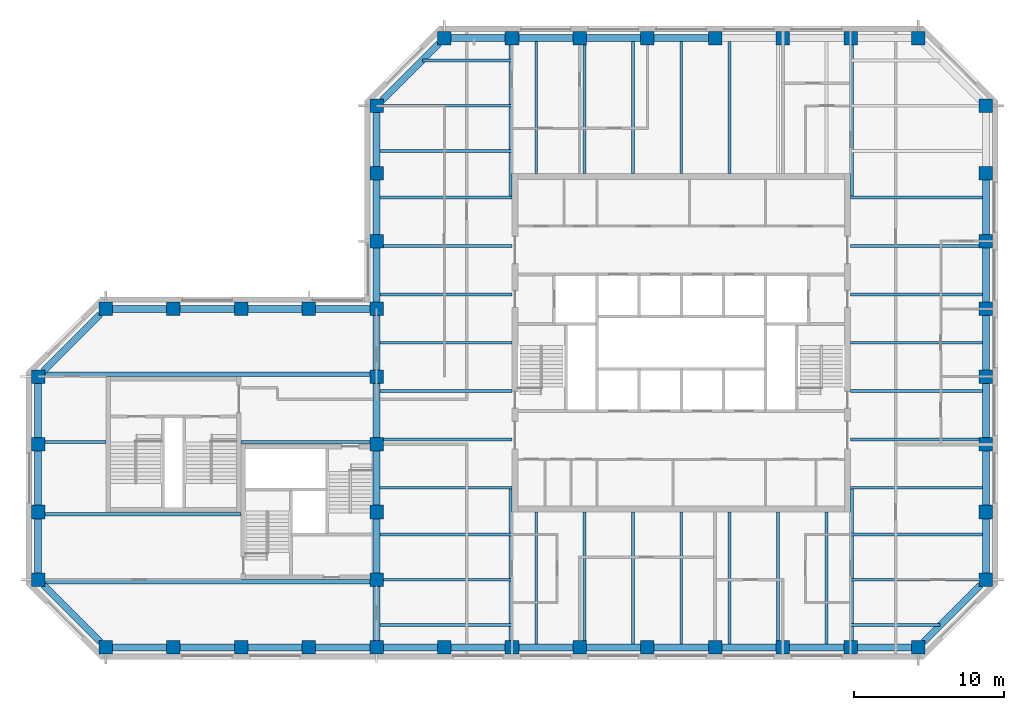
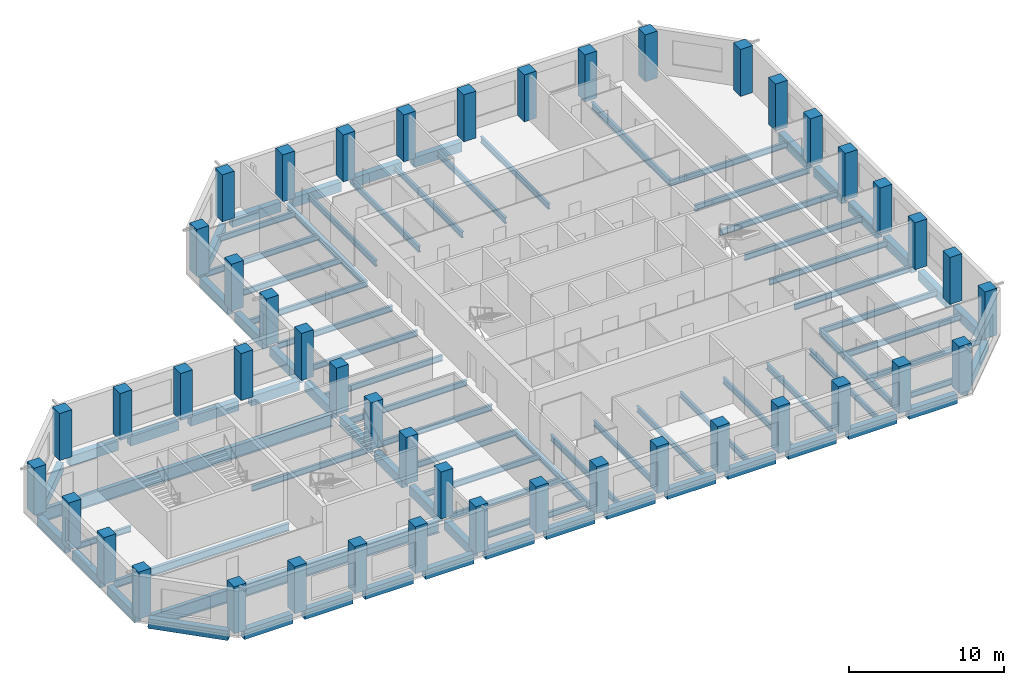
# One storey, part 1 of 9: 85 beams, 45 columns.
"""IFC4 building model written with IfcOpenShell, lengths in metres."""

from ifc_helpers import new_model, si_unit, direction, frame, origin, origin_2d, place, context, subcontext, project, spatial, rectangle, i_section, extrude, material, material_profile, profile_set, type_object, element, save


model = new_model("IFC4")

# Units and contexts
model_context = context("Model", 3, precision=1e-05, world=origin(), true_north=direction((0.0, 1.0)))
body_context = subcontext(model_context, "Body", "Model", "MODEL_VIEW")
ifc_project = project(units=[si_unit("LENGTHUNIT", "METRE"), si_unit("AREAUNIT", "SQUARE_METRE"), si_unit("VOLUMEUNIT", "CUBIC_METRE"), si_unit("PLANEANGLEUNIT", "RADIAN"), si_unit("MASSUNIT", "GRAM", prefix="KILO")], contexts=[model_context])

# Site, building, storey
site_placement = place(None, origin())
site = spatial("IfcSite", under=ifc_project, at=site_placement, CompositionType="ELEMENT")
building_placement = place(site_placement, origin())
building = spatial("IfcBuilding", under=site, at=building_placement, Name="Quoin Convention Tower", CompositionType="ELEMENT")
storey_placement = place(building_placement, frame((0.0, 0.0, 215.60009765625)))
storey = spatial("IfcBuildingStorey", under=building, at=storey_placement, Name="L56", CompositionType="ELEMENT", Elevation=215.60009765625)

# Columns
ifc_material_1 = material(Name="Concrete C50", Category="concrete")
ifc_material_profile_1 = material_profile(ifc_material_1, rectangle(XDim=0.89990234375, YDim=0.89990234375, at=origin_2d()), Name="RC 900x900")
ifc_profile_set_1 = profile_set([ifc_material_profile_1], Name="Concrete C50")
column_type = type_object("IfcColumnType", Name="RC 900x900 C50", PredefinedType="COLUMN", material=ifc_profile_set_1)
for number, where, z_axis, x_axis, name in (
    (1, (18.0, 40.5, 0.0), (0.0, 0.0, 1.0), (1.0, 0.0, 0.0), "col-L56-18000_40500"),
    (2, (22.5, 40.5, 0.0), (0.0, 0.0, 1.0), (1.0, 0.0, 0.0), "col-L56-22500_40500"),
    (3, (27.0, 40.5, 0.0), (0.0, 0.0, 1.0), (1.0, 0.0, 0.0), "col-L56-27000_40500"),
    (4, (31.5, 40.5, 0.0), (0.0, 0.0, 1.0), (1.0, 0.0, 0.0), "col-L56-31500_40500"),
    (5, (36.0, 40.5, 0.0), (0.0, 0.0, 1.0), (1.0, 0.0, 0.0), "col-L56-36000_40500"),
    (6, (40.5, 40.5, 0.0), (0.0, 0.0, 1.0), (1.0, 0.0, 0.0), "col-L56-40500_40500"),
    (7, (45.0, 40.5, 0.0), (0.0, 0.0, 1.0), (1.0, 0.0, 0.0), "col-L56-45000_40500"),
    (8, (49.5, 40.5, 0.0), (0.0, 0.0, 1.0), (1.0, 0.0, 0.0), "col-L56-49500_40500"),
    (9, (54.0, 40.5, 0.0), (0.0, 0.0, 1.0), (1.0, 0.0, 0.0), "col-L56-54000_40500"),
    (10, (58.5, 40.5, 0.0), (0.0, 0.0, 1.0), (1.0, 0.0, 0.0), "col-L56-58500_40500"),
    (11, (63.0, 40.5, 0.0), (0.0, 0.0, 1.0), (1.0, 0.0, 0.0), "col-L56-63000_40500"),
    (12, (67.5, 40.5, 0.0), (0.0, 0.0, 1.0), (1.0, 0.0, 0.0), "col-L56-67500_40500"),
    (13, (72.0, 40.5, 0.0), (0.0, 0.0, 1.0), (1.0, 0.0, 0.0), "col-L56-72000_40500"),
    (14, (13.5, 45.0, 0.0), (0.0, 0.0, 1.0), (1.0, 0.0, 0.0), "col-L56-13500_45000"),
    (15, (36.0, 45.0, 0.0), (0.0, 0.0, 1.0), (1.0, 0.0, 0.0), "web-L56-36000_45000"),
    (16, (76.5, 45.0, 0.0), (0.0, 0.0, 1.0), (1.0, 0.0, 0.0), "col-L56-76500_45000"),
    (17, (13.5, 49.5, 0.0), (0.0, 0.0, 1.0), (1.0, 0.0, 0.0), "col-L56-13500_49500"),
    (18, (36.0, 49.5, 0.0), (0.0, 0.0, 1.0), (1.0, 0.0, 0.0), "web-L56-36000_49500"),
    (19, (76.5, 49.5, 0.0), (0.0, 0.0, 1.0), (1.0, 0.0, 0.0), "col-L56-76500_49500"),
    (20, (13.5, 54.0, 0.0), (0.0, 0.0, 1.0), (1.0, 0.0, 0.0), "col-L56-13500_54000"),
    (21, (36.0, 54.0, 0.0), (0.0, 0.0, 1.0), (1.0, 0.0, 0.0), "web-L56-36000_54000"),
    (22, (76.5, 54.0, 0.0), (0.0, 0.0, 1.0), (1.0, 0.0, 0.0), "col-L56-76500_54000"),
    (23, (13.5, 58.5, 0.0), (0.0, 0.0, 1.0), (1.0, 0.0, 0.0), "col-L56-13500_58500"),
    (24, (36.0, 58.5, 0.0), (0.0, 0.0, 1.0), (1.0, 0.0, 0.0), "web-L56-36000_58500"),
    (25, (76.5, 58.5, 0.0), (0.0, 0.0, 1.0), (1.0, 0.0, 0.0), "col-L56-76500_58500"),
    (26, (18.0, 63.0, 0.0), (0.0, 0.0, 1.0), (1.0, 0.0, 0.0), "col-L56-18000_63000"),
    (27, (22.5, 63.0, 0.0), (0.0, 0.0, 1.0), (1.0, 0.0, 0.0), "col-L56-22500_63000"),
    (28, (27.0, 63.0, 0.0), (0.0, 0.0, 1.0), (1.0, 0.0, 0.0), "col-L56-27000_63000"),
    (29, (31.5, 63.0, 0.0), (0.0, 0.0, 1.0), (1.0, 0.0, 0.0), "col-L56-31500_63000"),
    (30, (36.0, 63.0, 0.0), (0.0, 0.0, 1.0), (1.0, 0.0, 0.0), "col-L56-36000_63000"),
    (31, (76.5, 63.0, 0.0), (0.0, 0.0, 1.0), (1.0, 0.0, 0.0), "col-L56-76500_63000"),
    (32, (36.0, 67.5, 0.0), (0.0, 0.0, 1.0), (1.0, 0.0, 0.0), "col-L56-36000_67500"),
    (33, (76.5, 67.5, 0.0), (0.0, 0.0, 1.0), (1.0, 0.0, 0.0), "col-L56-76500_67500"),
    (34, (36.0, 72.0, 0.0), (0.0, 0.0, 1.0), (1.0, 0.0, 0.0), "col-L56-36000_72000"),
    (35, (76.5, 72.0, 0.0), (0.0, 0.0, 1.0), (1.0, 0.0, 0.0), "col-L56-76500_72000"),
    (36, (36.0, 76.5, 0.0), (0.0, 0.0, 1.0), (1.0, 0.0, 0.0), "col-L56-36000_76500"),
    (37, (76.5, 76.5, 0.0), (0.0, 0.0, 1.0), (1.0, 0.0, 0.0), "col-L56-76500_76500"),
    (38, (40.5, 81.0, 0.0), (0.0, 0.0, 1.0), (1.0, 0.0, 0.0), "col-L56-40500_81000"),
    (39, (45.0, 81.0, 0.0), (0.0, 0.0, 1.0), (1.0, 0.0, 0.0), "col-L56-45000_81000"),
    (40, (49.5, 81.0, 0.0), (0.0, 0.0, 1.0), (1.0, 0.0, 0.0), "col-L56-49500_81000"),
    (41, (54.0, 81.0, 0.0), (0.0, 0.0, 1.0), (1.0, 0.0, 0.0), "col-L56-54000_81000"),
    (42, (58.5, 81.0, 0.0), (0.0, 0.0, 1.0), (1.0, 0.0, 0.0), "col-L56-58500_81000"),
    (43, (63.0, 81.0, 0.0), (0.0, 0.0, 1.0), (1.0, 0.0, 0.0), "col-L56-63000_81000"),
    (44, (67.5, 81.0, 0.0), (0.0, 0.0, 1.0), (1.0, 0.0, 0.0), "col-L56-67500_81000"),
    (45, (72.0, 81.0, 0.0), (0.0, 0.0, 1.0), (1.0, 0.0, 0.0), "col-L56-72000_81000"),
):
    element("IfcColumn", number, at=place(storey_placement, frame(where, z_axis=z_axis, x_axis=x_axis)), inside=storey, type_object=column_type, Name=name, PredefinedType="COLUMN", context=body_context, shape_type="SweptSolid", body=[
        extrude(rectangle(XDim=0.89990234375, YDim=0.89990234375, at=origin_2d()), origin(), (0.0, 0.0, 1.0), 3.699951171875),
    ])

# Beams
ifc_material_2 = material(Name="Steel Grade 300", Category="steel")
ifc_material_profile_2 = material_profile(ifc_material_2, i_section(OverallWidth=0.300048828125, OverallDepth=1.0, WebThickness=0.01611328125, FlangeThickness=0.02001953125, at=origin_2d()), Name="1000WB215")
ifc_profile_set_2 = profile_set([ifc_material_profile_2], Name="Steel Grade 300")
beam_type_1 = type_object("IfcBeamType", Name="1000WB215", PredefinedType="BEAM", material=ifc_profile_set_2)
for number, where, z_axis, x_axis, name in (
    (46, (13.949951171875, 44.85009765625, -0.650146484375), (1.0, 0.0, 0.0), (0.0, 1.0, 0.0), "gir-L56-ST2-1-0"),
    (47, (13.949951171875, 58.64990234375, -0.650146484375), (1.0, 0.0, 0.0), (0.0, 1.0, 0.0), "gir-L56-ST2-4-0"),
):
    element("IfcBeam", number, at=place(storey_placement, frame(where, z_axis=z_axis, x_axis=x_axis)), inside=storey, type_object=beam_type_1, Name=name, PredefinedType="BEAM", context=body_context, shape_type="SweptSolid", body=[
        extrude(i_section(OverallWidth=0.300048828125, OverallDepth=1.0, WebThickness=0.01611328125, FlangeThickness=0.02001953125, at=origin_2d()), origin(), (0.0, 0.0, 1.0), 21.60009765625),
    ])
ifc_material_profile_3 = material_profile(ifc_material_2, i_section(OverallWidth=0.18994140625, OverallDepth=0.4541015625, WebThickness=0.008544921875, FlangeThickness=0.0126953125, FilletRadius=0.011474609375, at=origin_2d()), Name="460UB67.1")
ifc_profile_set_3 = profile_set([ifc_material_profile_3], Name="Steel Grade 300")
beam_type_2 = type_object("IfcBeamType", Name="460UB67.1", PredefinedType="BEAM", material=ifc_profile_set_3)
beam_1_placement = place(storey_placement, frame((36.22509765625, 51.107177734375, -0.377197265625), z_axis=(1.0, 0.0, 0.0), x_axis=(0.0, 1.0, 0.0)))
element("IfcBeam", 48, at=beam_1_placement, inside=storey, type_object=beam_type_2, Name="bm-L56-T1W0", PredefinedType="BEAM", context=body_context, shape_type="SweptSolid", body=[
    extrude(i_section(OverallWidth=0.18994140625, OverallDepth=0.4541015625, WebThickness=0.008544921875, FlangeThickness=0.0126953125, FilletRadius=0.011474609375, at=origin_2d()), origin(), (0.0, 0.0, 1.0), 8.77490234375),
])
beam_2_placement = place(storey_placement, frame((36.449951171875, 54.3212890625, -0.377197265625), z_axis=(1.0, 0.0, 0.0), x_axis=(0.0, 1.0, 0.0)))
element("IfcBeam", 49, at=beam_2_placement, inside=storey, type_object=beam_type_2, Name="bm-L56-T1W1", PredefinedType="BEAM", context=body_context, shape_type="SweptSolid", body=[
    extrude(i_section(OverallWidth=0.18994140625, OverallDepth=0.4541015625, WebThickness=0.008544921875, FlangeThickness=0.0126953125, FilletRadius=0.011474609375, at=origin_2d()), origin(), (0.0, 0.0, 1.0), 8.550048828125),
])
for number, where, z_axis, x_axis, name in (
    (50, (36.22509765625, 57.53564453125, -0.377197265625), (1.0, 0.0, 0.0), (0.0, 1.0, 0.0), "bm-L56-T1W2"),
    (51, (36.22509765625, 60.75, -0.377197265625), (1.0, 0.0, 0.0), (0.0, 1.0, 0.0), "bm-L56-T1W3"),
    (52, (36.22509765625, 63.96435546875, -0.377197265625), (1.0, 0.0, 0.0), (0.0, 1.0, 0.0), "bm-L56-T1W4"),
):
    element("IfcBeam", number, at=place(storey_placement, frame(where, z_axis=z_axis, x_axis=x_axis)), inside=storey, type_object=beam_type_2, Name=name, PredefinedType="BEAM", context=body_context, shape_type="SweptSolid", body=[
        extrude(i_section(OverallWidth=0.18994140625, OverallDepth=0.4541015625, WebThickness=0.008544921875, FlangeThickness=0.0126953125, FilletRadius=0.011474609375, at=origin_2d()), origin(), (0.0, 0.0, 1.0), 8.77490234375),
    ])
beam_3_placement = place(storey_placement, frame((36.449951171875, 67.1787109375, -0.377197265625), z_axis=(1.0, 0.0, 0.0), x_axis=(0.0, 1.0, 0.0)))
element("IfcBeam", 53, at=beam_3_placement, inside=storey, type_object=beam_type_2, Name="bm-L56-T1W5", PredefinedType="BEAM", context=body_context, shape_type="SweptSolid", body=[
    extrude(i_section(OverallWidth=0.18994140625, OverallDepth=0.4541015625, WebThickness=0.008544921875, FlangeThickness=0.0126953125, FilletRadius=0.011474609375, at=origin_2d()), origin(), (0.0, 0.0, 1.0), 8.550048828125),
])
for number, where, z_axis, x_axis, name in (
    (54, (36.22509765625, 70.392822265625, -0.377197265625), (1.0, 0.0, 0.0), (0.0, 1.0, 0.0), "bm-L56-T1W6"),
    (55, (67.5, 51.107177734375, -0.377197265625), (1.0, 0.0, 0.0), (0.0, 1.0, 0.0), "bm-L56-T1E0"),
):
    element("IfcBeam", number, at=place(storey_placement, frame(where, z_axis=z_axis, x_axis=x_axis)), inside=storey, type_object=beam_type_2, Name=name, PredefinedType="BEAM", context=body_context, shape_type="SweptSolid", body=[
        extrude(i_section(OverallWidth=0.18994140625, OverallDepth=0.4541015625, WebThickness=0.008544921875, FlangeThickness=0.0126953125, FilletRadius=0.011474609375, at=origin_2d()), origin(), (0.0, 0.0, 1.0), 8.77490234375),
    ])
beam_4_placement = place(storey_placement, frame((67.5, 54.3212890625, -0.377197265625), z_axis=(1.0, 0.0, 0.0), x_axis=(0.0, 1.0, 0.0)))
element("IfcBeam", 56, at=beam_4_placement, inside=storey, type_object=beam_type_2, Name="bm-L56-T1E1", PredefinedType="BEAM", context=body_context, shape_type="SweptSolid", body=[
    extrude(i_section(OverallWidth=0.18994140625, OverallDepth=0.4541015625, WebThickness=0.008544921875, FlangeThickness=0.0126953125, FilletRadius=0.011474609375, at=origin_2d()), origin(), (0.0, 0.0, 1.0), 8.550048828125),
])
for number, where, z_axis, x_axis, name in (
    (57, (67.5, 57.53564453125, -0.377197265625), (1.0, 0.0, 0.0), (0.0, 1.0, 0.0), "bm-L56-T1E2"),
    (58, (67.5, 60.75, -0.377197265625), (1.0, 0.0, 0.0), (0.0, 1.0, 0.0), "bm-L56-T1E3"),
    (59, (67.5, 63.96435546875, -0.377197265625), (1.0, 0.0, 0.0), (0.0, 1.0, 0.0), "bm-L56-T1E4"),
):
    element("IfcBeam", number, at=place(storey_placement, frame(where, z_axis=z_axis, x_axis=x_axis)), inside=storey, type_object=beam_type_2, Name=name, PredefinedType="BEAM", context=body_context, shape_type="SweptSolid", body=[
        extrude(i_section(OverallWidth=0.18994140625, OverallDepth=0.4541015625, WebThickness=0.008544921875, FlangeThickness=0.0126953125, FilletRadius=0.011474609375, at=origin_2d()), origin(), (0.0, 0.0, 1.0), 8.77490234375),
    ])
beam_5_placement = place(storey_placement, frame((67.5, 67.1787109375, -0.377197265625), z_axis=(1.0, 0.0, 0.0), x_axis=(0.0, 1.0, 0.0)))
element("IfcBeam", 60, at=beam_5_placement, inside=storey, type_object=beam_type_2, Name="bm-L56-T1E5", PredefinedType="BEAM", context=body_context, shape_type="SweptSolid", body=[
    extrude(i_section(OverallWidth=0.18994140625, OverallDepth=0.4541015625, WebThickness=0.008544921875, FlangeThickness=0.0126953125, FilletRadius=0.011474609375, at=origin_2d()), origin(), (0.0, 0.0, 1.0), 8.550048828125),
])
for number, where, z_axis, x_axis, name in (
    (61, (67.5, 70.392822265625, -0.377197265625), (1.0, 0.0, 0.0), (0.0, 1.0, 0.0), "bm-L56-T1E6"),
    (62, (46.607177734375, 40.72509765625, -0.377197265625), (0.0, 1.0, 0.0), (-1.0, 0.0, 0.0), "bm-L56-T1S0"),
):
    element("IfcBeam", number, at=place(storey_placement, frame(where, z_axis=z_axis, x_axis=x_axis)), inside=storey, type_object=beam_type_2, Name=name, PredefinedType="BEAM", context=body_context, shape_type="SweptSolid", body=[
        extrude(i_section(OverallWidth=0.18994140625, OverallDepth=0.4541015625, WebThickness=0.008544921875, FlangeThickness=0.0126953125, FilletRadius=0.011474609375, at=origin_2d()), origin(), (0.0, 0.0, 1.0), 8.77490234375),
    ])
beam_6_placement = place(storey_placement, frame((49.8212890625, 40.949951171875, -0.377197265625), z_axis=(0.0, 1.0, 0.0), x_axis=(-1.0, 0.0, 0.0)))
element("IfcBeam", 63, at=beam_6_placement, inside=storey, type_object=beam_type_2, Name="bm-L56-T1S1", PredefinedType="BEAM", context=body_context, shape_type="SweptSolid", body=[
    extrude(i_section(OverallWidth=0.18994140625, OverallDepth=0.4541015625, WebThickness=0.008544921875, FlangeThickness=0.0126953125, FilletRadius=0.011474609375, at=origin_2d()), origin(), (0.0, 0.0, 1.0), 8.550048828125),
])
for number, where, z_axis, x_axis, name in (
    (64, (53.03564453125, 40.72509765625, -0.377197265625), (0.0, 1.0, 0.0), (-1.0, 0.0, 0.0), "bm-L56-T1S2"),
    (65, (56.25, 40.72509765625, -0.377197265625), (0.0, 1.0, 0.0), (-1.0, 0.0, 0.0), "bm-L56-T1S3"),
    (66, (59.46435546875, 40.72509765625, -0.377197265625), (0.0, 1.0, 0.0), (-1.0, 0.0, 0.0), "bm-L56-T1S4"),
):
    element("IfcBeam", number, at=place(storey_placement, frame(where, z_axis=z_axis, x_axis=x_axis)), inside=storey, type_object=beam_type_2, Name=name, PredefinedType="BEAM", context=body_context, shape_type="SweptSolid", body=[
        extrude(i_section(OverallWidth=0.18994140625, OverallDepth=0.4541015625, WebThickness=0.008544921875, FlangeThickness=0.0126953125, FilletRadius=0.011474609375, at=origin_2d()), origin(), (0.0, 0.0, 1.0), 8.77490234375),
    ])
beam_7_placement = place(storey_placement, frame((62.6787109375, 40.949951171875, -0.377197265625), z_axis=(0.0, 1.0, 0.0), x_axis=(-1.0, 0.0, 0.0)))
element("IfcBeam", 67, at=beam_7_placement, inside=storey, type_object=beam_type_2, Name="bm-L56-T1S5", PredefinedType="BEAM", context=body_context, shape_type="SweptSolid", body=[
    extrude(i_section(OverallWidth=0.18994140625, OverallDepth=0.4541015625, WebThickness=0.008544921875, FlangeThickness=0.0126953125, FilletRadius=0.011474609375, at=origin_2d()), origin(), (0.0, 0.0, 1.0), 8.550048828125),
])
for number, where, z_axis, x_axis, name in (
    (68, (65.892822265625, 40.72509765625, -0.377197265625), (0.0, 1.0, 0.0), (-1.0, 0.0, 0.0), "bm-L56-T1S6"),
    (69, (46.607177734375, 72.0, -0.377197265625), (0.0, 1.0, 0.0), (-1.0, 0.0, 0.0), "bm-L56-T1N0"),
):
    element("IfcBeam", number, at=place(storey_placement, frame(where, z_axis=z_axis, x_axis=x_axis)), inside=storey, type_object=beam_type_2, Name=name, PredefinedType="BEAM", context=body_context, shape_type="SweptSolid", body=[
        extrude(i_section(OverallWidth=0.18994140625, OverallDepth=0.4541015625, WebThickness=0.008544921875, FlangeThickness=0.0126953125, FilletRadius=0.011474609375, at=origin_2d()), origin(), (0.0, 0.0, 1.0), 8.77490234375),
    ])
beam_8_placement = place(storey_placement, frame((49.8212890625, 72.0, -0.377197265625), z_axis=(0.0, 1.0, 0.0), x_axis=(-1.0, 0.0, 0.0)))
element("IfcBeam", 70, at=beam_8_placement, inside=storey, type_object=beam_type_2, Name="bm-L56-T1N1", PredefinedType="BEAM", context=body_context, shape_type="SweptSolid", body=[
    extrude(i_section(OverallWidth=0.18994140625, OverallDepth=0.4541015625, WebThickness=0.008544921875, FlangeThickness=0.0126953125, FilletRadius=0.011474609375, at=origin_2d()), origin(), (0.0, 0.0, 1.0), 8.550048828125),
])
for number, where, z_axis, x_axis, name in (
    (71, (53.03564453125, 72.0, -0.377197265625), (0.0, 1.0, 0.0), (-1.0, 0.0, 0.0), "bm-L56-T1N2"),
    (72, (56.25, 72.0, -0.377197265625), (0.0, 1.0, 0.0), (-1.0, 0.0, 0.0), "bm-L56-T1N3"),
    (73, (59.46435546875, 72.0, -0.377197265625), (0.0, 1.0, 0.0), (-1.0, 0.0, 0.0), "bm-L56-T1N4"),
    (74, (36.22509765625, 42.0, -0.377197265625), (1.0, 0.0, 0.0), (0.0, 1.0, 0.0), "bm-L56-T1SW0"),
):
    element("IfcBeam", number, at=place(storey_placement, frame(where, z_axis=z_axis, x_axis=x_axis)), inside=storey, type_object=beam_type_2, Name=name, PredefinedType="BEAM", context=body_context, shape_type="SweptSolid", body=[
        extrude(i_section(OverallWidth=0.18994140625, OverallDepth=0.4541015625, WebThickness=0.008544921875, FlangeThickness=0.0126953125, FilletRadius=0.011474609375, at=origin_2d()), origin(), (0.0, 0.0, 1.0), 8.77490234375),
    ])
beam_9_placement = place(storey_placement, frame((36.449951171875, 45.0, -0.377197265625), z_axis=(1.0, 0.0, 0.0), x_axis=(0.0, 1.0, 0.0)))
element("IfcBeam", 75, at=beam_9_placement, inside=storey, type_object=beam_type_2, Name="bm-L56-T1SW1", PredefinedType="BEAM", context=body_context, shape_type="SweptSolid", body=[
    extrude(i_section(OverallWidth=0.18994140625, OverallDepth=0.4541015625, WebThickness=0.008544921875, FlangeThickness=0.0126953125, FilletRadius=0.011474609375, at=origin_2d()), origin(), (0.0, 0.0, 1.0), 8.550048828125),
])
beam_10_placement = place(storey_placement, frame((36.22509765625, 48.0, -0.377197265625), z_axis=(1.0, 0.0, 0.0), x_axis=(0.0, 1.0, 0.0)))
element("IfcBeam", 76, at=beam_10_placement, inside=storey, type_object=beam_type_2, Name="bm-L56-T1SW2", PredefinedType="BEAM", context=body_context, shape_type="SweptSolid", body=[
    extrude(i_section(OverallWidth=0.18994140625, OverallDepth=0.4541015625, WebThickness=0.008544921875, FlangeThickness=0.0126953125, FilletRadius=0.011474609375, at=origin_2d()), origin(), (0.0, 0.0, 1.0), 8.77490234375),
])
beam_11_placement = place(storey_placement, frame((67.5, 42.0, -0.377197265625), z_axis=(1.0, 0.0, 0.0), x_axis=(0.0, 1.0, 0.0)))
element("IfcBeam", 77, at=beam_11_placement, inside=storey, type_object=beam_type_2, Name="bm-L56-T1SE0", PredefinedType="BEAM", context=body_context, shape_type="SweptSolid", body=[
    extrude(i_section(OverallWidth=0.18994140625, OverallDepth=0.4541015625, WebThickness=0.008544921875, FlangeThickness=0.0126953125, FilletRadius=0.011474609375, at=origin_2d()), origin(), (0.0, 0.0, 1.0), 5.935791015625),
])
beam_12_placement = place(storey_placement, frame((67.5, 45.0, -0.377197265625), z_axis=(1.0, 0.0, 0.0), x_axis=(0.0, 1.0, 0.0)))
element("IfcBeam", 78, at=beam_12_placement, inside=storey, type_object=beam_type_2, Name="bm-L56-T1SE1", PredefinedType="BEAM", context=body_context, shape_type="SweptSolid", body=[
    extrude(i_section(OverallWidth=0.18994140625, OverallDepth=0.4541015625, WebThickness=0.008544921875, FlangeThickness=0.0126953125, FilletRadius=0.011474609375, at=origin_2d()), origin(), (0.0, 0.0, 1.0), 8.550048828125),
])
beam_13_placement = place(storey_placement, frame((67.5, 48.0, -0.377197265625), z_axis=(1.0, 0.0, 0.0), x_axis=(0.0, 1.0, 0.0)))
element("IfcBeam", 79, at=beam_13_placement, inside=storey, type_object=beam_type_2, Name="bm-L56-T1SE2", PredefinedType="BEAM", context=body_context, shape_type="SweptSolid", body=[
    extrude(i_section(OverallWidth=0.18994140625, OverallDepth=0.4541015625, WebThickness=0.008544921875, FlangeThickness=0.0126953125, FilletRadius=0.011474609375, at=origin_2d()), origin(), (0.0, 0.0, 1.0), 8.77490234375),
])
beam_14_placement = place(storey_placement, frame((39.064208984375, 79.5, -0.377197265625), z_axis=(1.0, 0.0, 0.0), x_axis=(0.0, 1.0, 0.0)))
element("IfcBeam", 80, at=beam_14_placement, inside=storey, type_object=beam_type_2, Name="bm-L56-T1NW0", PredefinedType="BEAM", context=body_context, shape_type="SweptSolid", body=[
    extrude(i_section(OverallWidth=0.18994140625, OverallDepth=0.4541015625, WebThickness=0.008544921875, FlangeThickness=0.0126953125, FilletRadius=0.011474609375, at=origin_2d()), origin(), (0.0, 0.0, 1.0), 5.935791015625),
])
beam_15_placement = place(storey_placement, frame((36.449951171875, 76.5, -0.377197265625), z_axis=(1.0, 0.0, 0.0), x_axis=(0.0, 1.0, 0.0)))
element("IfcBeam", 81, at=beam_15_placement, inside=storey, type_object=beam_type_2, Name="bm-L56-T1NW1", PredefinedType="BEAM", context=body_context, shape_type="SweptSolid", body=[
    extrude(i_section(OverallWidth=0.18994140625, OverallDepth=0.4541015625, WebThickness=0.008544921875, FlangeThickness=0.0126953125, FilletRadius=0.011474609375, at=origin_2d()), origin(), (0.0, 0.0, 1.0), 8.550048828125),
])
beam_16_placement = place(storey_placement, frame((36.22509765625, 73.5, -0.377197265625), z_axis=(1.0, 0.0, 0.0), x_axis=(0.0, 1.0, 0.0)))
element("IfcBeam", 82, at=beam_16_placement, inside=storey, type_object=beam_type_2, Name="bm-L56-T1NW2", PredefinedType="BEAM", context=body_context, shape_type="SweptSolid", body=[
    extrude(i_section(OverallWidth=0.18994140625, OverallDepth=0.4541015625, WebThickness=0.008544921875, FlangeThickness=0.0126953125, FilletRadius=0.011474609375, at=origin_2d()), origin(), (0.0, 0.0, 1.0), 8.77490234375),
])
beam_17_placement = place(storey_placement, frame((13.949951171875, 54.14990234375, -0.377197265625), z_axis=(1.0, 0.0, 0.0), x_axis=(0.0, 1.0, 0.0)))
element("IfcBeam", 83, at=beam_17_placement, inside=storey, type_object=beam_type_2, Name="gir-L56-ST2-3-0", PredefinedType="BEAM", context=body_context, shape_type="SweptSolid", body=[
    extrude(i_section(OverallWidth=0.18994140625, OverallDepth=0.4541015625, WebThickness=0.008544921875, FlangeThickness=0.0126953125, FilletRadius=0.011474609375, at=origin_2d()), origin(), (0.0, 0.0, 1.0), 4.050048828125),
])
beam_18_placement = place(storey_placement, frame((27.0, 54.14990234375, -0.377197265625), z_axis=(1.0, 0.0, 0.0), x_axis=(0.0, 1.0, 0.0)))
element("IfcBeam", 84, at=beam_18_placement, inside=storey, type_object=beam_type_2, Name="gir-L56-ST2-3-1", PredefinedType="BEAM", context=body_context, shape_type="SweptSolid", body=[
    extrude(i_section(OverallWidth=0.18994140625, OverallDepth=0.4541015625, WebThickness=0.008544921875, FlangeThickness=0.0126953125, FilletRadius=0.011474609375, at=origin_2d()), origin(), (0.0, 0.0, 1.0), 8.550048828125),
])
ifc_material_profile_4 = material_profile(ifc_material_2, i_section(OverallWidth=0.208984375, OverallDepth=0.528076171875, WebThickness=0.009521484375, FlangeThickness=0.01318359375, FilletRadius=0.013916015625, at=origin_2d()), Name="530UB82.0")
ifc_profile_set_4 = profile_set([ifc_material_profile_4], Name="Steel Grade 300")
beam_type_3 = type_object("IfcBeamType", Name="530UB82.0", PredefinedType="BEAM", material=ifc_profile_set_4)
for number, where, z_axis, x_axis, name in (
    (85, (44.904541015625, 40.949951171875, -0.4140625), (0.0, 1.0, 0.0), (-1.0, 0.0, 0.0), "gir-L56-T1SW"),
    (86, (67.595458984375, 40.949951171875, -0.4140625), (0.0, 1.0, 0.0), (-1.0, 0.0, 0.0), "gir-L56-T1SE"),
    (87, (44.904541015625, 80.550048828125, -0.4140625), (0.0, -1.0, 0.0), (1.0, 0.0, 0.0), "gir-L56-T1NW"),
    (88, (67.595458984375, 80.550048828125, -0.4140625), (0.0, -1.0, 0.0), (1.0, 0.0, 0.0), "gir-L56-T1NE"),
):
    element("IfcBeam", number, at=place(storey_placement, frame(where, z_axis=z_axis, x_axis=x_axis)), inside=storey, type_object=beam_type_3, Name=name, PredefinedType="BEAM", context=body_context, shape_type="SweptSolid", body=[
        extrude(i_section(OverallWidth=0.208984375, OverallDepth=0.528076171875, WebThickness=0.009521484375, FlangeThickness=0.01318359375, FilletRadius=0.013916015625, at=origin_2d()), origin(), (0.0, 0.0, 1.0), 10.062255859375),
    ])
ifc_material_profile_5 = material_profile(ifc_material_2, i_section(OverallWidth=0.22802734375, OverallDepth=0.60205078125, WebThickness=0.010498046875, FlangeThickness=0.014892578125, FilletRadius=0.013916015625, at=origin_2d()), Name="610UB101")
ifc_profile_set_5 = profile_set([ifc_material_profile_5], Name="Steel Grade 300")
beam_type_4 = type_object("IfcBeamType", Name="610UB101", PredefinedType="BEAM", material=ifc_profile_set_5)
beam_19_placement = place(storey_placement, frame((13.949951171875, 49.35009765625, -0.451171875), z_axis=(1.0, 0.0, 0.0), x_axis=(0.0, 1.0, 0.0)))
element("IfcBeam", 89, at=beam_19_placement, inside=storey, type_object=beam_type_4, Name="gir-L56-ST2-2-0", PredefinedType="BEAM", context=body_context, shape_type="SweptSolid", body=[
    extrude(i_section(OverallWidth=0.22802734375, OverallDepth=0.60205078125, WebThickness=0.010498046875, FlangeThickness=0.014892578125, FilletRadius=0.013916015625, at=origin_2d()), origin(), (0.0, 0.0, 1.0), 13.050048828125),
])
ifc_material_profile_6 = material_profile(ifc_material_1, rectangle(XDim=0.449951171875, YDim=0.75, at=origin_2d()), Name="RC 450x750")
ifc_profile_set_6 = profile_set([ifc_material_profile_6], Name="Concrete C50")
beam_type_5 = type_object("IfcBeamType", Name="RC 450x750 C50", PredefinedType="SPANDREL", material=ifc_profile_set_6)
for number, where, z_axis, x_axis, name in (
    (90, (36.449951171875, 40.5, -0.525146484375), (1.0, 0.0, 0.0), (0.0, 1.0, 0.0), "spd-L56-36000_40500-40500_40500"),
    (91, (40.949951171875, 40.5, -0.525146484375), (1.0, 0.0, 0.0), (0.0, 1.0, 0.0), "spd-L56-40500_40500-45000_40500"),
    (92, (45.449951171875, 40.5, -0.525146484375), (1.0, 0.0, 0.0), (0.0, 1.0, 0.0), "spd-L56-45000_40500-49500_40500"),
    (93, (49.949951171875, 40.5, -0.525146484375), (1.0, 0.0, 0.0), (0.0, 1.0, 0.0), "spd-L56-49500_40500-54000_40500"),
    (94, (54.449951171875, 40.5, -0.525146484375), (1.0, 0.0, 0.0), (0.0, 1.0, 0.0), "spd-L56-54000_40500-58500_40500"),
    (95, (58.949951171875, 40.5, -0.525146484375), (1.0, 0.0, 0.0), (0.0, 1.0, 0.0), "spd-L56-58500_40500-63000_40500"),
    (96, (63.449951171875, 40.5, -0.525146484375), (1.0, 0.0, 0.0), (0.0, 1.0, 0.0), "spd-L56-63000_40500-67500_40500"),
    (97, (67.949951171875, 40.5, -0.525146484375), (1.0, 0.0, 0.0), (0.0, 1.0, 0.0), "spd-L56-67500_40500-72000_40500"),
):
    element("IfcBeam", number, at=place(storey_placement, frame(where, z_axis=z_axis, x_axis=x_axis)), inside=storey, type_object=beam_type_5, Name=name, PredefinedType="SPANDREL", context=body_context, shape_type="SweptSolid", body=[
        extrude(rectangle(XDim=0.449951171875, YDim=0.75, at=origin_2d()), origin(), (0.0, 0.0, 1.0), 3.60009765625),
    ])
beam_20_placement = place(storey_placement, frame((72.364990234375, 40.864990234375, -0.525146484375), z_axis=(0.707106781187, 0.707106781187, 0.0), x_axis=(-0.707106781187, 0.707106781187, 0.0)))
element("IfcBeam", 98, at=beam_20_placement, inside=storey, type_object=beam_type_5, Name="spd-L56-72000_40500-76500_45000", PredefinedType="SPANDREL", context=body_context, shape_type="SweptSolid", body=[
    extrude(rectangle(XDim=0.449951171875, YDim=0.75, at=origin_2d()), origin(), (0.0, 0.0, 1.0), 5.33154296875),
])
for number, where, z_axis, x_axis, name in (
    (99, (76.5, 45.449951171875, -0.525146484375), (0.0, 1.0, 0.0), (-1.0, 0.0, 0.0), "spd-L56-76500_45000-76500_49500"),
    (100, (76.5, 49.949951171875, -0.525146484375), (0.0, 1.0, 0.0), (-1.0, 0.0, 0.0), "spd-L56-76500_49500-76500_54000"),
    (101, (76.5, 54.449951171875, -0.525146484375), (0.0, 1.0, 0.0), (-1.0, 0.0, 0.0), "spd-L56-76500_54000-76500_58500"),
    (102, (76.5, 58.949951171875, -0.525146484375), (0.0, 1.0, 0.0), (-1.0, 0.0, 0.0), "spd-L56-76500_58500-76500_63000"),
    (103, (76.5, 63.449951171875, -0.525146484375), (0.0, 1.0, 0.0), (-1.0, 0.0, 0.0), "spd-L56-76500_63000-76500_67500"),
    (104, (76.5, 67.949951171875, -0.525146484375), (0.0, 1.0, 0.0), (-1.0, 0.0, 0.0), "spd-L56-76500_67500-76500_72000"),
    (105, (58.050048828125, 81.0, -0.525146484375), (-1.0, 0.0, 0.0), (0.0, -1.0, 0.0), "spd-L56-58500_81000-54000_81000"),
    (106, (53.550048828125, 81.0, -0.525146484375), (-1.0, 0.0, 0.0), (0.0, -1.0, 0.0), "spd-L56-54000_81000-49500_81000"),
    (107, (49.050048828125, 81.0, -0.525146484375), (-1.0, 0.0, 0.0), (0.0, -1.0, 0.0), "spd-L56-49500_81000-45000_81000"),
    (108, (44.550048828125, 81.0, -0.525146484375), (-1.0, 0.0, 0.0), (0.0, -1.0, 0.0), "spd-L56-45000_81000-40500_81000"),
):
    element("IfcBeam", number, at=place(storey_placement, frame(where, z_axis=z_axis, x_axis=x_axis)), inside=storey, type_object=beam_type_5, Name=name, PredefinedType="SPANDREL", context=body_context, shape_type="SweptSolid", body=[
        extrude(rectangle(XDim=0.449951171875, YDim=0.75, at=origin_2d()), origin(), (0.0, 0.0, 1.0), 3.60009765625),
    ])
beam_21_placement = place(storey_placement, frame((40.135009765625, 80.635009765625, -0.525146484375), z_axis=(-0.707106781187, -0.707106781187, 0.0), x_axis=(0.707106781187, -0.707106781187, 0.0)))
element("IfcBeam", 109, at=beam_21_placement, inside=storey, type_object=beam_type_5, Name="spd-L56-40500_81000-36000_76500", PredefinedType="SPANDREL", context=body_context, shape_type="SweptSolid", body=[
    extrude(rectangle(XDim=0.449951171875, YDim=0.75, at=origin_2d()), origin(), (0.0, 0.0, 1.0), 5.33154296875),
])
for number, where, z_axis, x_axis, name in (
    (110, (36.0, 76.050048828125, -0.525146484375), (0.0, -1.0, 0.0), (1.0, 0.0, 0.0), "spd-L56-36000_76500-36000_72000"),
    (111, (36.0, 71.550048828125, -0.525146484375), (0.0, -1.0, 0.0), (1.0, 0.0, 0.0), "spd-L56-36000_72000-36000_67500"),
    (112, (36.0, 67.050048828125, -0.525146484375), (0.0, -1.0, 0.0), (1.0, 0.0, 0.0), "spd-L56-36000_67500-36000_63000"),
    (113, (35.550048828125, 63.0, -0.525146484375), (-1.0, 0.0, 0.0), (0.0, -1.0, 0.0), "spd-L56-36000_63000-31500_63000"),
    (114, (31.050048828125, 63.0, -0.525146484375), (-1.0, 0.0, 0.0), (0.0, -1.0, 0.0), "spd-L56-31500_63000-27000_63000"),
    (115, (26.550048828125, 63.0, -0.525146484375), (-1.0, 0.0, 0.0), (0.0, -1.0, 0.0), "spd-L56-27000_63000-22500_63000"),
    (116, (22.050048828125, 63.0, -0.525146484375), (-1.0, 0.0, 0.0), (0.0, -1.0, 0.0), "spd-L56-22500_63000-18000_63000"),
):
    element("IfcBeam", number, at=place(storey_placement, frame(where, z_axis=z_axis, x_axis=x_axis)), inside=storey, type_object=beam_type_5, Name=name, PredefinedType="SPANDREL", context=body_context, shape_type="SweptSolid", body=[
        extrude(rectangle(XDim=0.449951171875, YDim=0.75, at=origin_2d()), origin(), (0.0, 0.0, 1.0), 3.60009765625),
    ])
beam_22_placement = place(storey_placement, frame((17.635009765625, 62.635009765625, -0.525146484375), z_axis=(-0.707106781187, -0.707106781187, 0.0), x_axis=(0.707106781187, -0.707106781187, 0.0)))
element("IfcBeam", 117, at=beam_22_placement, inside=storey, type_object=beam_type_5, Name="spd-L56-18000_63000-13500_58500", PredefinedType="SPANDREL", context=body_context, shape_type="SweptSolid", body=[
    extrude(rectangle(XDim=0.449951171875, YDim=0.75, at=origin_2d()), origin(), (0.0, 0.0, 1.0), 5.33154296875),
])
for number, where, z_axis, x_axis, name in (
    (118, (13.5, 58.050048828125, -0.525146484375), (0.0, -1.0, 0.0), (1.0, 0.0, 0.0), "spd-L56-13500_58500-13500_54000"),
    (119, (13.5, 53.550048828125, -0.525146484375), (0.0, -1.0, 0.0), (1.0, 0.0, 0.0), "spd-L56-13500_54000-13500_49500"),
    (120, (13.5, 49.050048828125, -0.525146484375), (0.0, -1.0, 0.0), (1.0, 0.0, 0.0), "spd-L56-13500_49500-13500_45000"),
):
    element("IfcBeam", number, at=place(storey_placement, frame(where, z_axis=z_axis, x_axis=x_axis)), inside=storey, type_object=beam_type_5, Name=name, PredefinedType="SPANDREL", context=body_context, shape_type="SweptSolid", body=[
        extrude(rectangle(XDim=0.449951171875, YDim=0.75, at=origin_2d()), origin(), (0.0, 0.0, 1.0), 3.60009765625),
    ])
beam_23_placement = place(storey_placement, frame((13.864990234375, 44.635009765625, -0.525146484375), z_axis=(0.707106781187, -0.707106781187, 0.0), x_axis=(0.707106781187, 0.707106781187, 0.0)))
element("IfcBeam", 121, at=beam_23_placement, inside=storey, type_object=beam_type_5, Name="spd-L56-13500_45000-18000_40500", PredefinedType="SPANDREL", context=body_context, shape_type="SweptSolid", body=[
    extrude(rectangle(XDim=0.449951171875, YDim=0.75, at=origin_2d()), origin(), (0.0, 0.0, 1.0), 5.33154296875),
])
for number, where, z_axis, x_axis, name in (
    (122, (18.449951171875, 40.5, -0.525146484375), (1.0, 0.0, 0.0), (0.0, 1.0, 0.0), "spd-L56-18000_40500-22500_40500"),
    (123, (22.949951171875, 40.5, -0.525146484375), (1.0, 0.0, 0.0), (0.0, 1.0, 0.0), "spd-L56-22500_40500-27000_40500"),
    (124, (27.449951171875, 40.5, -0.525146484375), (1.0, 0.0, 0.0), (0.0, 1.0, 0.0), "spd-L56-27000_40500-31500_40500"),
    (125, (31.949951171875, 40.5, -0.525146484375), (1.0, 0.0, 0.0), (0.0, 1.0, 0.0), "spd-L56-31500_40500-36000_40500"),
    (126, (36.0, 40.949951171875, -0.525146484375), (0.0, 1.0, 0.0), (-1.0, 0.0, 0.0), "spd-L56-36000_40500-36000_45000"),
    (127, (36.0, 45.449951171875, -0.525146484375), (0.0, 1.0, 0.0), (-1.0, 0.0, 0.0), "spd-L56-36000_45000-36000_49500"),
    (128, (36.0, 49.949951171875, -0.525146484375), (0.0, 1.0, 0.0), (-1.0, 0.0, 0.0), "spd-L56-36000_49500-36000_54000"),
    (129, (36.0, 54.449951171875, -0.525146484375), (0.0, 1.0, 0.0), (-1.0, 0.0, 0.0), "spd-L56-36000_54000-36000_58500"),
    (130, (36.0, 58.949951171875, -0.525146484375), (0.0, 1.0, 0.0), (-1.0, 0.0, 0.0), "spd-L56-36000_58500-36000_63000"),
):
    element("IfcBeam", number, at=place(storey_placement, frame(where, z_axis=z_axis, x_axis=x_axis)), inside=storey, type_object=beam_type_5, Name=name, PredefinedType="SPANDREL", context=body_context, shape_type="SweptSolid", body=[
        extrude(rectangle(XDim=0.449951171875, YDim=0.75, at=origin_2d()), origin(), (0.0, 0.0, 1.0), 3.60009765625),
    ])

save(model, "model.ifc")
